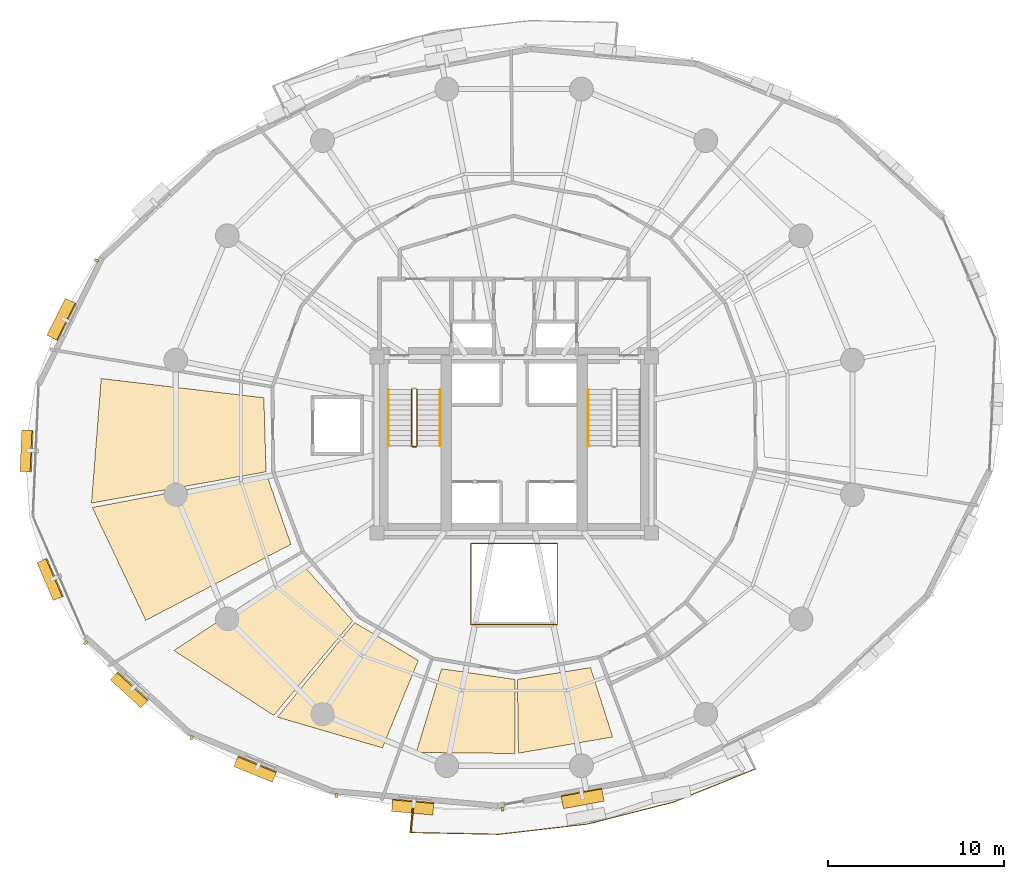
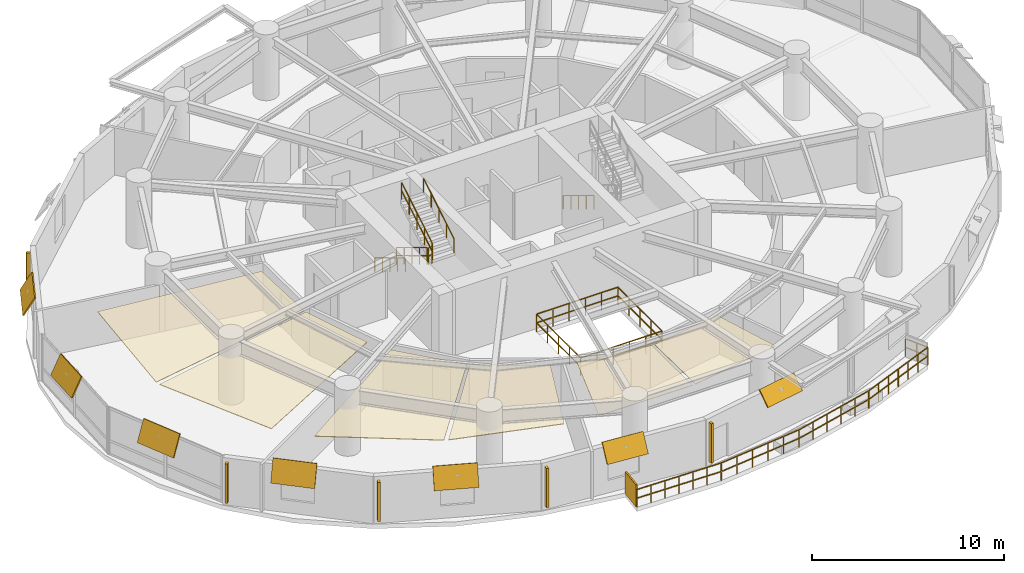
# One storey, part 15 of 17: 13 shading devices, 8 railings, 6 coverings.
"""IFC4 building model written with IfcOpenShell, lengths in metres."""

from ifc_helpers import new_model, si_unit, direction, frame, origin, origin_2d, place, context, subcontext, project, spatial, polyline, rectangle, outline, extrude, material, layer, layer_set, type_object, element, save


model = new_model("IFC4")

# Units and contexts
model_context = context("Model", 3, precision=1e-05, world=origin(), true_north=direction((0.0, 1.0)))
body_context = subcontext(model_context, "Body", "Model", "MODEL_VIEW")
ifc_project = project(units=[si_unit("LENGTHUNIT", "METRE"), si_unit("AREAUNIT", "SQUARE_METRE"), si_unit("VOLUMEUNIT", "CUBIC_METRE"), si_unit("PLANEANGLEUNIT", "RADIAN"), si_unit("MASSUNIT", "GRAM", prefix="KILO"), si_unit("THERMODYNAMICTEMPERATUREUNIT", "KELVIN"), si_unit("POWERUNIT", "WATT")], contexts=[model_context])

# Site, building, storey
site_placement = place(None, origin())
site = spatial("IfcSite", under=ifc_project, at=site_placement, CompositionType="ELEMENT")
building_placement = place(site_placement, origin())
building = spatial("IfcBuilding", under=site, at=building_placement, Name="Ocrelia Relay Tower", CompositionType="ELEMENT")
storey_placement = place(building_placement, frame((0.0, 0.0, 76.199951171875)))
storey = spatial("IfcBuildingStorey", under=building, at=storey_placement, Name="L17", CompositionType="ELEMENT", Elevation=76.199951171875)

# Coverings
ifc_material_1 = material(Name="Mineral-fiber acoustic ceiling tile", Category="gypsum")
ifc_layer_1 = layer(ifc_material_1, 0.0400390625, Name="Mineral-fiber acoustic ceiling tile")
ifc_layer_set_1 = layer_set([ifc_layer_1], Name="Mineral-fiber acoustic ceiling tile")
covering_type_1 = type_object("IfcCoveringType", Name="COV-CEIL-ACOUSTIC", PredefinedType="CEILING", material=ifc_layer_set_1)
covering_1_placement = place(storey_placement, frame((0.0, 0.0, 2.920166015625)))
element("IfcCovering", 1, at=covering_1_placement, inside=storey, type_object=covering_type_1, Name="L17 Carrier Briefing Room Suspended Ceiling 1", PredefinedType="CEILING", context=body_context, shape_type="SweptSolid", body=[
    extrude(outline(polyline([(22.0244140625, 18.1484375), (14.666015625, 13.32421875), (20.3369140625, 9.630126953125), (24.823974609375, 15.006103515625), (22.0244140625, 18.1484375)])), origin(), (0.0, 0.0, 1.0), 0.039794921875),
])
covering_2_placement = place(storey_placement, frame((0.0, 0.0, 2.920166015625)))
element("IfcCovering", 2, at=covering_2_placement, inside=storey, type_object=covering_type_1, Name="L17 Carrier Briefing Room Suspended Ceiling 2", PredefinedType="CEILING", context=body_context, shape_type="SweptSolid", body=[
    extrude(outline(polyline([(24.939697265625, 14.91064453125), (20.54931640625, 9.537109375), (26.51318359375, 7.791015625), (28.5546875, 12.755615234375), (24.939697265625, 14.91064453125)])), origin(), (0.0, 0.0, 1.0), 0.039794921875),
])
covering_3_placement = place(storey_placement, frame((0.0, 0.0, 2.920166015625)))
element("IfcCovering", 3, at=covering_3_placement, inside=storey, type_object=covering_type_1, Name="L17 Shift Staff Lounge Suspended Ceiling 1", PredefinedType="CEILING", context=body_context, shape_type="SweptSolid", body=[
    extrude(outline(polyline([(29.873046875, 12.28759765625), (28.44091796875, 7.52880859375), (34.048583984375, 7.471923828125), (34.03759765625, 11.679931640625), (29.873046875, 12.28759765625)])), origin(), (0.0, 0.0, 1.0), 0.039794921875),
])
covering_4_placement = place(storey_placement, frame((0.0, 0.0, 2.920166015625)))
element("IfcCovering", 4, at=covering_4_placement, inside=storey, type_object=covering_type_1, Name="L17 Shift Staff Lounge Suspended Ceiling 2", PredefinedType="CEILING", context=body_context, shape_type="SweptSolid", body=[
    extrude(outline(polyline([(34.1875, 11.68115234375), (34.2421875, 7.48779296875), (39.597900390625, 8.406494140625), (38.341796875, 12.35400390625), (34.1875, 11.68115234375)])), origin(), (0.0, 0.0, 1.0), 0.039794921875),
])
ifc_material_2 = material(Name="Cleanroom metal-pan acoustic ceiling", Category="aluminium")
ifc_layer_2 = layer(ifc_material_2, 0.0400390625, Name="Cleanroom metal-pan acoustic ceiling")
ifc_layer_set_2 = layer_set([ifc_layer_2], Name="Cleanroom metal-pan acoustic ceiling")
covering_type_2 = type_object("IfcCoveringType", Name="COV-CEIL-CLEAN", PredefinedType="CEILING", material=ifc_layer_set_2)
covering_5_placement = place(storey_placement, frame((0.0, 0.0, 2.920166015625)))
element("IfcCovering", 5, at=covering_5_placement, inside=storey, type_object=covering_type_2, Name="L17 Colocation Data Hall B Suspended Ceiling 1", PredefinedType="CEILING", context=body_context, shape_type="SweptSolid", body=[
    extrude(outline(polyline([(19.779296875, 27.68310546875), (10.534912109375, 28.77734375), (9.982177734375, 21.7001953125), (19.904052734375, 23.476318359375), (19.779296875, 27.68310546875)])), origin(), (0.0, 0.0, 1.0), 0.039794921875),
])
covering_6_placement = place(storey_placement, frame((0.0, 0.0, 2.920166015625)))
element("IfcCovering", 6, at=covering_6_placement, inside=storey, type_object=covering_type_2, Name="L17 Colocation Data Hall B Suspended Ceiling 2", PredefinedType="CEILING", context=body_context, shape_type="SweptSolid", body=[
    extrude(outline(polyline([(19.931396484375, 23.3291015625), (10.028564453125, 21.448974609375), (13.069580078125, 15.034423828125), (21.3154296875, 19.3544921875), (19.931396484375, 23.3291015625)])), origin(), (0.0, 0.0, 1.0), 0.039794921875),
])

# Railings
ifc_material_3 = material(Name="Steel S355 balustrade", Category="steel")
railing_type_1 = type_object("IfcRailingType", Name="RL-EXT-GUARD-1150", PredefinedType="GUARDRAIL", material=ifc_material_3)
railing_1_placement = place(storey_placement, frame((47.095458984375, 7.841796875, 0.0)))
element("IfcRailing", 7, at=railing_1_placement, inside=storey, type_object=railing_type_1, Name="L17 Loggia Balcony Guard Rail B2", PredefinedType="GUARDRAIL", context=body_context, shape_type="SweptSolid", body=[
    extrude(rectangle(XDim=0.048095703125, YDim=0.048095703125, at=origin_2d()), frame((0.0, 0.0, 1.1259765625), z_axis=(0.440121208435, -0.8979383731, 0.0), x_axis=(0.8979383731, 0.440121208435, 0.0)), (0.0, 0.0, 1.0), 1.3935546875),
    extrude(rectangle(XDim=0.048095703125, YDim=0.048095703125, at=origin_2d()), frame((0.0, 0.0, 0.574951171875), z_axis=(0.440121208435, -0.8979383731, 0.0), x_axis=(0.8979383731, 0.440121208435, 0.0)), (0.0, 0.0, 1.0), 1.3935546875),
    extrude(rectangle(XDim=0.048095703125, YDim=0.048095703125, at=origin_2d()), frame((0.61328125, -1.251220703125, 1.1259765625), z_axis=(-0.926657621374, -0.375906441485, 0.0), x_axis=(0.375906441485, -0.926657621374, 0.0)), (0.0, 0.0, 1.0), 2.505126953125),
    extrude(rectangle(XDim=0.048095703125, YDim=0.048095703125, at=origin_2d()), frame((0.61328125, -1.251220703125, 0.574951171875), z_axis=(-0.926657621374, -0.375906441485, 0.0), x_axis=(0.375906441485, -0.926657621374, 0.0)), (0.0, 0.0, 1.0), 2.505126953125),
    extrude(rectangle(XDim=0.048095703125, YDim=0.048095703125, at=origin_2d()), frame((-1.7080078125, -2.19287109375, 1.1259765625), z_axis=(-0.926691568011, -0.375822747818, 0.0), x_axis=(0.375822747818, -0.926691568011, 0.0)), (0.0, 0.0, 1.0), 2.5048828125),
    extrude(rectangle(XDim=0.048095703125, YDim=0.048095703125, at=origin_2d()), frame((-1.7080078125, -2.19287109375, 0.574951171875), z_axis=(-0.926691568011, -0.375822747818, 0.0), x_axis=(0.375822747818, -0.926691568011, 0.0)), (0.0, 0.0, 1.0), 2.5048828125),
    extrude(rectangle(XDim=0.048095703125, YDim=0.048095703125, at=origin_2d()), frame((-4.029296875, -3.13427734375, 1.1259765625), z_axis=(-0.969046874488, -0.246876801349, 0.0), x_axis=(0.246876801349, -0.969046874488, 0.0)), (0.0, 0.0, 1.0), 5.065185546875),
    extrude(rectangle(XDim=0.048095703125, YDim=0.048095703125, at=origin_2d()), frame((-4.029296875, -3.13427734375, 0.574951171875), z_axis=(-0.969046874488, -0.246876801349, 0.0), x_axis=(0.246876801349, -0.969046874488, 0.0)), (0.0, 0.0, 1.0), 5.065185546875),
    extrude(rectangle(XDim=0.048095703125, YDim=0.048095703125, at=origin_2d()), frame((-8.937744140625, -4.384765625, 1.1259765625), z_axis=(-0.993359235266, -0.11505402953, 0.0), x_axis=(0.11505402953, -0.993359235266, 0.0)), (0.0, 0.0, 1.0), 5.065185546875),
    extrude(rectangle(XDim=0.048095703125, YDim=0.048095703125, at=origin_2d()), frame((-8.937744140625, -4.384765625, 0.574951171875), z_axis=(-0.993359235266, -0.11505402953, 0.0), x_axis=(0.11505402953, -0.993359235266, 0.0)), (0.0, 0.0, 1.0), 5.065185546875),
    extrude(rectangle(XDim=0.048095703125, YDim=0.048095703125, at=origin_2d()), frame((-13.96923828125, -4.967529296875, 1.1259765625), z_axis=(-0.999788518812, 0.020564961734, 0.0), x_axis=(-0.020564961734, -0.999788518812, 0.0)), (0.0, 0.0, 1.0), 2.5048828125),
    extrude(rectangle(XDim=0.048095703125, YDim=0.048095703125, at=origin_2d()), frame((-13.96923828125, -4.967529296875, 0.574951171875), z_axis=(-0.999788518812, 0.020564961734, 0.0), x_axis=(-0.020564961734, -0.999788518812, 0.0)), (0.0, 0.0, 1.0), 2.5048828125),
    extrude(rectangle(XDim=0.048095703125, YDim=0.048095703125, at=origin_2d()), frame((-16.4736328125, -4.916015625, 1.1259765625), z_axis=(-0.999790558819, 0.020465544142, 0.0), x_axis=(-0.020465544142, -0.999790558819, 0.0)), (0.0, 0.0, 1.0), 2.505126953125),
    extrude(rectangle(XDim=0.048095703125, YDim=0.048095703125, at=origin_2d()), frame((-16.4736328125, -4.916015625, 0.574951171875), z_axis=(-0.999790558819, 0.020465544142, 0.0), x_axis=(-0.020465544142, -0.999790558819, 0.0)), (0.0, 0.0, 1.0), 2.505126953125),
    extrude(rectangle(XDim=0.048095703125, YDim=0.048095703125, at=origin_2d()), frame((-18.978271484375, -4.86474609375, 1.1259765625), z_axis=(0.090930665057, 0.995857225787, 0.0), x_axis=(-0.995857225787, 0.090930665057, 0.0)), (0.0, 0.0, 1.0), 1.3935546875),
    extrude(rectangle(XDim=0.048095703125, YDim=0.048095703125, at=origin_2d()), frame((-18.978271484375, -4.86474609375, 0.574951171875), z_axis=(0.090930665057, 0.995857225787, 0.0), x_axis=(-0.995857225787, 0.090930665057, 0.0)), (0.0, 0.0, 1.0), 1.3935546875),
    extrude(rectangle(XDim=0.0419921875, YDim=0.0419921875, at=origin_2d()), origin(), (0.0, 0.0, 1.0), 1.101806640625),
    extrude(rectangle(XDim=0.0419921875, YDim=0.0419921875, at=origin_2d()), frame((0.306640625, -0.62548828125, 0.0)), (0.0, 0.0, 1.0), 1.101806640625),
    extrude(rectangle(XDim=0.0419921875, YDim=0.0419921875, at=origin_2d()), frame((0.61328125, -1.251220703125, 0.0)), (0.0, 0.0, 1.0), 1.101806640625),
    extrude(rectangle(XDim=0.0419921875, YDim=0.0419921875, at=origin_2d()), frame((-0.160400390625, -1.565185546875, 0.0)), (0.0, 0.0, 1.0), 1.101806640625),
    extrude(rectangle(XDim=0.0419921875, YDim=0.0419921875, at=origin_2d()), frame((-0.934326171875, -1.87890625, 0.0)), (0.0, 0.0, 1.0), 1.101806640625),
    extrude(rectangle(XDim=0.0419921875, YDim=0.0419921875, at=origin_2d()), frame((-1.7080078125, -2.19287109375, 0.0)), (0.0, 0.0, 1.0), 1.101806640625),
    extrude(rectangle(XDim=0.0419921875, YDim=0.0419921875, at=origin_2d()), frame((-2.481689453125, -2.506591796875, 0.0)), (0.0, 0.0, 1.0), 1.101806640625),
    extrude(rectangle(XDim=0.0419921875, YDim=0.0419921875, at=origin_2d()), frame((-3.255615234375, -2.820556640625, 0.0)), (0.0, 0.0, 1.0), 1.101806640625),
    extrude(rectangle(XDim=0.0419921875, YDim=0.0419921875, at=origin_2d()), frame((-4.029296875, -3.13427734375, 0.0)), (0.0, 0.0, 1.0), 1.101806640625),
    extrude(rectangle(XDim=0.0419921875, YDim=0.0419921875, at=origin_2d()), frame((-5.010986328125, -3.38427734375, 0.0)), (0.0, 0.0, 1.0), 1.101806640625),
    extrude(rectangle(XDim=0.0419921875, YDim=0.0419921875, at=origin_2d()), frame((-5.99267578125, -3.634521484375, 0.0)), (0.0, 0.0, 1.0), 1.101806640625),
    extrude(rectangle(XDim=0.0419921875, YDim=0.0419921875, at=origin_2d()), frame((-6.974365234375, -3.884521484375, 0.0)), (0.0, 0.0, 1.0), 1.101806640625),
    extrude(rectangle(XDim=0.0419921875, YDim=0.0419921875, at=origin_2d()), frame((-7.9560546875, -4.134765625, 0.0)), (0.0, 0.0, 1.0), 1.101806640625),
    extrude(rectangle(XDim=0.0419921875, YDim=0.0419921875, at=origin_2d()), frame((-8.937744140625, -4.384765625, 0.0)), (0.0, 0.0, 1.0), 1.101806640625),
    extrude(rectangle(XDim=0.0419921875, YDim=0.0419921875, at=origin_2d()), frame((-9.944091796875, -4.501220703125, 0.0)), (0.0, 0.0, 1.0), 1.101806640625),
    extrude(rectangle(XDim=0.0419921875, YDim=0.0419921875, at=origin_2d()), frame((-10.950439453125, -4.617919921875, 0.0)), (0.0, 0.0, 1.0), 1.101806640625),
    extrude(rectangle(XDim=0.0419921875, YDim=0.0419921875, at=origin_2d()), frame((-11.95654296875, -4.734375, 0.0)), (0.0, 0.0, 1.0), 1.101806640625),
    extrude(rectangle(XDim=0.0419921875, YDim=0.0419921875, at=origin_2d()), frame((-12.962890625, -4.85107421875, 0.0)), (0.0, 0.0, 1.0), 1.101806640625),
    extrude(rectangle(XDim=0.0419921875, YDim=0.0419921875, at=origin_2d()), frame((-13.96923828125, -4.967529296875, 0.0)), (0.0, 0.0, 1.0), 1.101806640625),
    extrude(rectangle(XDim=0.0419921875, YDim=0.0419921875, at=origin_2d()), frame((-14.803955078125, -4.950439453125, 0.0)), (0.0, 0.0, 1.0), 1.101806640625),
    extrude(rectangle(XDim=0.0419921875, YDim=0.0419921875, at=origin_2d()), frame((-15.638916015625, -4.93310546875, 0.0)), (0.0, 0.0, 1.0), 1.101806640625),
    extrude(rectangle(XDim=0.0419921875, YDim=0.0419921875, at=origin_2d()), frame((-16.4736328125, -4.916015625, 0.0)), (0.0, 0.0, 1.0), 1.101806640625),
    extrude(rectangle(XDim=0.0419921875, YDim=0.0419921875, at=origin_2d()), frame((-17.30859375, -4.89892578125, 0.0)), (0.0, 0.0, 1.0), 1.101806640625),
    extrude(rectangle(XDim=0.0419921875, YDim=0.0419921875, at=origin_2d()), frame((-18.143310546875, -4.8818359375, 0.0)), (0.0, 0.0, 1.0), 1.101806640625),
    extrude(rectangle(XDim=0.0419921875, YDim=0.0419921875, at=origin_2d()), frame((-18.978271484375, -4.86474609375, 0.0)), (0.0, 0.0, 1.0), 1.101806640625),
    extrude(rectangle(XDim=0.0419921875, YDim=0.0419921875, at=origin_2d()), frame((-18.9150390625, -4.1708984375, 0.0)), (0.0, 0.0, 1.0), 1.101806640625),
    extrude(rectangle(XDim=0.0419921875, YDim=0.0419921875, at=origin_2d()), frame((-18.8515625, -3.47705078125, 0.0)), (0.0, 0.0, 1.0), 1.101806640625),
])
ifc_material_4 = material(Name="Steel S355 atrium balustrade", Category="steel")
railing_type_2 = type_object("IfcRailingType", Name="RL-INT-GUARD-115", PredefinedType="GUARDRAIL", material=ifc_material_4)
railing_2_placement = place(storey_placement, frame((31.550048828125, 14.800048828125, 0.0)))
element("IfcRailing", 8, at=railing_2_placement, inside=storey, type_object=railing_type_2, Name="L17 Multi-Zone Interior Atrium Guard", PredefinedType="GUARDRAIL", context=body_context, shape_type="SweptSolid", body=[
    extrude(rectangle(XDim=0.048095703125, YDim=0.048095703125, at=origin_2d()), frame((0.0, 0.0, 1.1259765625), z_axis=(1.0, 0.0, 0.0), x_axis=(0.0, 1.0, 0.0)), (0.0, 0.0, 1.0), 4.89990234375),
    extrude(rectangle(XDim=0.048095703125, YDim=0.048095703125, at=origin_2d()), frame((0.0, 0.0, 0.574951171875), z_axis=(1.0, 0.0, 0.0), x_axis=(0.0, 1.0, 0.0)), (0.0, 0.0, 1.0), 4.89990234375),
    extrude(rectangle(XDim=0.048095703125, YDim=0.048095703125, at=origin_2d()), frame((4.89990234375, 0.0, 1.1259765625), z_axis=(0.0, 1.0, 0.0), x_axis=(-1.0, 0.0, 0.0)), (0.0, 0.0, 1.0), 4.599853515625),
    extrude(rectangle(XDim=0.048095703125, YDim=0.048095703125, at=origin_2d()), frame((4.89990234375, 0.0, 0.574951171875), z_axis=(0.0, 1.0, 0.0), x_axis=(-1.0, 0.0, 0.0)), (0.0, 0.0, 1.0), 4.599853515625),
    extrude(rectangle(XDim=0.048095703125, YDim=0.048095703125, at=origin_2d()), frame((4.89990234375, 4.599853515625, 1.1259765625), z_axis=(-1.0, 0.0, 0.0), x_axis=(0.0, -1.0, 0.0)), (0.0, 0.0, 1.0), 4.89990234375),
    extrude(rectangle(XDim=0.048095703125, YDim=0.048095703125, at=origin_2d()), frame((4.89990234375, 4.599853515625, 0.574951171875), z_axis=(-1.0, 0.0, 0.0), x_axis=(0.0, -1.0, 0.0)), (0.0, 0.0, 1.0), 4.89990234375),
    extrude(rectangle(XDim=0.048095703125, YDim=0.048095703125, at=origin_2d()), frame((0.0, 4.599853515625, 1.1259765625), z_axis=(0.0, -1.0, 0.0), x_axis=(1.0, 0.0, 0.0)), (0.0, 0.0, 1.0), 4.599853515625),
    extrude(rectangle(XDim=0.048095703125, YDim=0.048095703125, at=origin_2d()), frame((0.0, 4.599853515625, 0.574951171875), z_axis=(0.0, -1.0, 0.0), x_axis=(1.0, 0.0, 0.0)), (0.0, 0.0, 1.0), 4.599853515625),
    extrude(rectangle(XDim=0.0419921875, YDim=0.0419921875, at=origin_2d()), origin(), (0.0, 0.0, 1.0), 1.101806640625),
    extrude(rectangle(XDim=0.0419921875, YDim=0.0419921875, at=origin_2d()), frame((0.97998046875, 0.0, 0.0)), (0.0, 0.0, 1.0), 1.101806640625),
    extrude(rectangle(XDim=0.0419921875, YDim=0.0419921875, at=origin_2d()), frame((1.9599609375, 0.0, 0.0)), (0.0, 0.0, 1.0), 1.101806640625),
    extrude(rectangle(XDim=0.0419921875, YDim=0.0419921875, at=origin_2d()), frame((2.93994140625, 0.0, 0.0)), (0.0, 0.0, 1.0), 1.101806640625),
    extrude(rectangle(XDim=0.0419921875, YDim=0.0419921875, at=origin_2d()), frame((3.919921875, 0.0, 0.0)), (0.0, 0.0, 1.0), 1.101806640625),
    extrude(rectangle(XDim=0.0419921875, YDim=0.0419921875, at=origin_2d()), frame((4.89990234375, 0.0, 0.0)), (0.0, 0.0, 1.0), 1.101806640625),
    extrude(rectangle(XDim=0.0419921875, YDim=0.0419921875, at=origin_2d()), frame((4.89990234375, 1.14990234375, 0.0)), (0.0, 0.0, 1.0), 1.101806640625),
    extrude(rectangle(XDim=0.0419921875, YDim=0.0419921875, at=origin_2d()), frame((4.89990234375, 2.2998046875, 0.0)), (0.0, 0.0, 1.0), 1.101806640625),
    extrude(rectangle(XDim=0.0419921875, YDim=0.0419921875, at=origin_2d()), frame((4.89990234375, 3.449951171875, 0.0)), (0.0, 0.0, 1.0), 1.101806640625),
    extrude(rectangle(XDim=0.0419921875, YDim=0.0419921875, at=origin_2d()), frame((4.89990234375, 4.599853515625, 0.0)), (0.0, 0.0, 1.0), 1.101806640625),
    extrude(rectangle(XDim=0.0419921875, YDim=0.0419921875, at=origin_2d()), frame((3.919921875, 4.599853515625, 0.0)), (0.0, 0.0, 1.0), 1.101806640625),
    extrude(rectangle(XDim=0.0419921875, YDim=0.0419921875, at=origin_2d()), frame((2.93994140625, 4.599853515625, 0.0)), (0.0, 0.0, 1.0), 1.101806640625),
    extrude(rectangle(XDim=0.0419921875, YDim=0.0419921875, at=origin_2d()), frame((1.9599609375, 4.599853515625, 0.0)), (0.0, 0.0, 1.0), 1.101806640625),
    extrude(rectangle(XDim=0.0419921875, YDim=0.0419921875, at=origin_2d()), frame((0.97998046875, 4.599853515625, 0.0)), (0.0, 0.0, 1.0), 1.101806640625),
    extrude(rectangle(XDim=0.0419921875, YDim=0.0419921875, at=origin_2d()), frame((0.0, 4.599853515625, 0.0)), (0.0, 0.0, 1.0), 1.101806640625),
    extrude(rectangle(XDim=0.0419921875, YDim=0.0419921875, at=origin_2d()), frame((0.0, 3.449951171875, 0.0)), (0.0, 0.0, 1.0), 1.101806640625),
    extrude(rectangle(XDim=0.0419921875, YDim=0.0419921875, at=origin_2d()), frame((0.0, 2.2998046875, 0.0)), (0.0, 0.0, 1.0), 1.101806640625),
    extrude(rectangle(XDim=0.0419921875, YDim=0.0419921875, at=origin_2d()), frame((0.0, 1.14990234375, 0.0)), (0.0, 0.0, 1.0), 1.101806640625),
])
railing_type_3 = type_object("IfcRailingType", Name="RL-STAIR-GUARD", PredefinedType="GUARDRAIL", material=ifc_material_3)
railing_3_placement = place(storey_placement, frame((28.179931640625, 28.14990234375, 0.175048828125)))
element("IfcRailing", 9, at=railing_3_placement, inside=storey, type_object=railing_type_3, Name="L17 ST1 stair guard 1", PredefinedType="GUARDRAIL", context=body_context, shape_type="SweptSolid", body=[
    extrude(rectangle(XDim=0.048095703125, YDim=0.048095703125, at=origin_2d()), frame((0.0, 0.0, 1.076171875), z_axis=(0.0, -0.856177665481, 0.516681531633), x_axis=(1.0, 0.0, 0.0)), (0.0, 0.0, 1.0), 3.725830078125),
    extrude(rectangle(XDim=0.048095703125, YDim=0.048095703125, at=origin_2d()), frame((0.0, 0.0, 0.550048828125), z_axis=(0.0, -0.856177665481, 0.516681531633), x_axis=(1.0, 0.0, 0.0)), (0.0, 0.0, 1.0), 3.725830078125),
    extrude(rectangle(XDim=0.0419921875, YDim=0.0419921875, at=origin_2d()), origin(), (0.0, 0.0, 1.0), 1.052001953125),
    extrude(rectangle(XDim=0.0419921875, YDim=0.0419921875, at=origin_2d()), frame((0.0, -0.79736328125, 0.481201171875)), (0.0, 0.0, 1.0), 1.052001953125),
    extrude(rectangle(XDim=0.0419921875, YDim=0.0419921875, at=origin_2d()), frame((0.0, -1.594970703125, 0.96240234375)), (0.0, 0.0, 1.0), 1.052001953125),
    extrude(rectangle(XDim=0.0419921875, YDim=0.0419921875, at=origin_2d()), frame((0.0, -2.392578125, 1.44384765625)), (0.0, 0.0, 1.0), 1.052001953125),
    extrude(rectangle(XDim=0.0419921875, YDim=0.0419921875, at=origin_2d()), frame((0.0, -3.18994140625, 1.925048828125)), (0.0, 0.0, 1.0), 1.052001953125),
])
railing_4_placement = place(storey_placement, frame((28.22998046875, 24.909912109375, 2.10009765625)))
element("IfcRailing", 10, at=railing_4_placement, inside=storey, type_object=railing_type_3, Name="L17 ST1 stair guard 2", PredefinedType="GUARDRAIL", context=body_context, shape_type="SweptSolid", body=[
    extrude(rectangle(XDim=0.048095703125, YDim=0.048095703125, at=origin_2d()), frame((0.0, 0.0, 1.076171875), z_axis=(1.0, 0.0, 0.0), x_axis=(0.0, 1.0, 0.0)), (0.0, 0.0, 1.0), 0.199951171875),
    extrude(rectangle(XDim=0.048095703125, YDim=0.048095703125, at=origin_2d()), frame((0.0, 0.0, 0.550048828125), z_axis=(1.0, 0.0, 0.0), x_axis=(0.0, 1.0, 0.0)), (0.0, 0.0, 1.0), 0.199951171875),
    extrude(rectangle(XDim=0.0419921875, YDim=0.0419921875, at=origin_2d()), origin(), (0.0, 0.0, 1.0), 1.052001953125),
    extrude(rectangle(XDim=0.0419921875, YDim=0.0419921875, at=origin_2d()), frame((0.199951171875, 0.0, 0.0)), (0.0, 0.0, 1.0), 1.052001953125),
])
railing_5_placement = place(storey_placement, frame((28.47998046875, 24.9599609375, 2.275146484375)))
element("IfcRailing", 11, at=railing_5_placement, inside=storey, type_object=railing_type_3, Name="L17 ST1 stair guard 3", PredefinedType="GUARDRAIL", context=body_context, shape_type="SweptSolid", body=[
    extrude(rectangle(XDim=0.048095703125, YDim=0.048095703125, at=origin_2d()), frame((0.0, 0.0, 1.076171875), z_axis=(0.0, 0.856206652436, 0.516633495163), x_axis=(-1.0, 0.0, 0.0)), (0.0, 0.0, 1.0), 3.7255859375),
    extrude(rectangle(XDim=0.048095703125, YDim=0.048095703125, at=origin_2d()), frame((0.0, 0.0, 0.550048828125), z_axis=(0.0, 0.856206652436, 0.516633495163), x_axis=(-1.0, 0.0, 0.0)), (0.0, 0.0, 1.0), 3.7255859375),
    extrude(rectangle(XDim=0.0419921875, YDim=0.0419921875, at=origin_2d()), origin(), (0.0, 0.0, 1.0), 1.052001953125),
    extrude(rectangle(XDim=0.0419921875, YDim=0.0419921875, at=origin_2d()), frame((0.0, 0.79736328125, 0.481201171875)), (0.0, 0.0, 1.0), 1.052001953125),
    extrude(rectangle(XDim=0.0419921875, YDim=0.0419921875, at=origin_2d()), frame((0.0, 1.594970703125, 0.96240234375)), (0.0, 0.0, 1.0), 1.052001953125),
    extrude(rectangle(XDim=0.0419921875, YDim=0.0419921875, at=origin_2d()), frame((0.0, 2.392578125, 1.443603515625)), (0.0, 0.0, 1.0), 1.052001953125),
    extrude(rectangle(XDim=0.0419921875, YDim=0.0419921875, at=origin_2d()), frame((0.0, 3.18994140625, 1.9248046875)), (0.0, 0.0, 1.0), 1.052001953125),
])
ifc_material_5 = material(Name="Steel S355 tubular handrail", Category="steel")
railing_type_4 = type_object("IfcRailingType", Name="RL-STAIR-HAND", PredefinedType="HANDRAIL", material=ifc_material_5)
railing_6_placement = place(storey_placement, frame((26.860107421875, 28.14990234375, 0.175048828125)))
element("IfcRailing", 12, at=railing_6_placement, inside=storey, type_object=railing_type_4, Name="L17 ST1 stair handrail 1", PredefinedType="HANDRAIL", context=body_context, shape_type="SweptSolid", body=[
    extrude(rectangle(XDim=0.048095703125, YDim=0.048095703125, at=origin_2d()), frame((0.0, 0.0, 0.8759765625), z_axis=(0.0, -0.856177665481, 0.516681531633), x_axis=(1.0, 0.0, 0.0)), (0.0, 0.0, 1.0), 3.725830078125),
    extrude(rectangle(XDim=0.0419921875, YDim=0.0419921875, at=origin_2d()), origin(), (0.0, 0.0, 1.0), 0.851806640625),
    extrude(rectangle(XDim=0.0419921875, YDim=0.0419921875, at=origin_2d()), frame((0.0, -0.79736328125, 0.481201171875)), (0.0, 0.0, 1.0), 0.851806640625),
    extrude(rectangle(XDim=0.0419921875, YDim=0.0419921875, at=origin_2d()), frame((0.0, -1.594970703125, 0.96240234375)), (0.0, 0.0, 1.0), 0.851806640625),
    extrude(rectangle(XDim=0.0419921875, YDim=0.0419921875, at=origin_2d()), frame((0.0, -2.392578125, 1.44384765625)), (0.0, 0.0, 1.0), 0.851806640625),
    extrude(rectangle(XDim=0.0419921875, YDim=0.0419921875, at=origin_2d()), frame((0.0, -3.18994140625, 1.925048828125)), (0.0, 0.0, 1.0), 0.851806640625),
])
railing_7_placement = place(storey_placement, frame((29.800048828125, 24.9599609375, 2.275146484375)))
element("IfcRailing", 13, at=railing_7_placement, inside=storey, type_object=railing_type_4, Name="L17 ST1 stair handrail 2", PredefinedType="HANDRAIL", context=body_context, shape_type="SweptSolid", body=[
    extrude(rectangle(XDim=0.048095703125, YDim=0.048095703125, at=origin_2d()), frame((0.0, 0.0, 0.8759765625), z_axis=(0.0, 0.856206652436, 0.516633495163), x_axis=(-1.0, 0.0, 0.0)), (0.0, 0.0, 1.0), 3.7255859375),
    extrude(rectangle(XDim=0.0419921875, YDim=0.0419921875, at=origin_2d()), origin(), (0.0, 0.0, 1.0), 0.851806640625),
    extrude(rectangle(XDim=0.0419921875, YDim=0.0419921875, at=origin_2d()), frame((0.0, 0.79736328125, 0.481201171875)), (0.0, 0.0, 1.0), 0.851806640625),
    extrude(rectangle(XDim=0.0419921875, YDim=0.0419921875, at=origin_2d()), frame((0.0, 1.594970703125, 0.96240234375)), (0.0, 0.0, 1.0), 0.851806640625),
    extrude(rectangle(XDim=0.0419921875, YDim=0.0419921875, at=origin_2d()), frame((0.0, 2.392578125, 1.443603515625)), (0.0, 0.0, 1.0), 0.851806640625),
    extrude(rectangle(XDim=0.0419921875, YDim=0.0419921875, at=origin_2d()), frame((0.0, 3.18994140625, 1.9248046875)), (0.0, 0.0, 1.0), 0.851806640625),
])
railing_8_placement = place(storey_placement, frame((38.2099609375, 28.14990234375, 0.175048828125)))
element("IfcRailing", 14, at=railing_8_placement, inside=storey, type_object=railing_type_4, Name="L17 ST2 stair handrail 1", PredefinedType="HANDRAIL", context=body_context, shape_type="SweptSolid", body=[
    extrude(rectangle(XDim=0.048095703125, YDim=0.048095703125, at=origin_2d()), frame((0.0, 0.0, 0.8759765625), z_axis=(0.0, -0.856177665481, 0.516681531633), x_axis=(1.0, 0.0, 0.0)), (0.0, 0.0, 1.0), 3.725830078125),
    extrude(rectangle(XDim=0.0419921875, YDim=0.0419921875, at=origin_2d()), origin(), (0.0, 0.0, 1.0), 0.851806640625),
    extrude(rectangle(XDim=0.0419921875, YDim=0.0419921875, at=origin_2d()), frame((0.0, -0.79736328125, 0.481201171875)), (0.0, 0.0, 1.0), 0.851806640625),
    extrude(rectangle(XDim=0.0419921875, YDim=0.0419921875, at=origin_2d()), frame((0.0, -1.594970703125, 0.96240234375)), (0.0, 0.0, 1.0), 0.851806640625),
    extrude(rectangle(XDim=0.0419921875, YDim=0.0419921875, at=origin_2d()), frame((0.0, -2.392578125, 1.44384765625)), (0.0, 0.0, 1.0), 0.851806640625),
    extrude(rectangle(XDim=0.0419921875, YDim=0.0419921875, at=origin_2d()), frame((0.0, -3.18994140625, 1.925048828125)), (0.0, 0.0, 1.0), 0.851806640625),
])

# Shading devices
ifc_material_6 = material(Name="Perforated oxide terracotta solar screen", Category="masonry")
ifc_layer_3 = layer(ifc_material_6, 0.090087890625, Name="Perforated oxide terracotta solar screen")
ifc_layer_set_3 = layer_set([ifc_layer_3], Name="Perforated oxide terracotta solar screen")
shading_device_type_1 = type_object("IfcShadingDeviceType", Name="SH-BALC-SCREEN", PredefinedType="USERDEFINED", material=ifc_layer_set_3)
shading_device_1_placement = place(storey_placement, frame((28.1806640625, 3.6708984375, 0.0), z_axis=(0.0, 0.0, 1.0), x_axis=(-0.090930464705, -0.995857244081, 0.0)))
element("IfcShadingDevice", 15, at=shading_device_1_placement, inside=storey, type_object=shading_device_type_1, Name="L17 Balcony Perforated Terracotta Screen B2-1", ObjectType="SCREEN", PredefinedType="USERDEFINED", context=body_context, shape_type="SweptSolid", body=[
    extrude(rectangle(XDim=1.340087890625, YDim=0.090087890625, at=origin_2d()), origin(), (0.0, 0.0, 1.0), 1.39990234375),
])
ifc_material_7 = material(Name="Extruded oxide terracotta vertical baguette", Category="masonry")
shading_device_type_2 = type_object("IfcShadingDeviceType", Name="SH-TERR-BAGUETTE", PredefinedType="USERDEFINED", material=ifc_material_7)
for number, where, z_axis, x_axis, name in (
    (16, (10.260986328125, 35.48974609375, 0.25), (0.0, 0.0, 1.0), (-0.446969237962, -0.894549328051, 0.0), "L17 Oxide Terracotta Vertical Baguette 08"),
    (17, (9.652587890625, 13.765869140625, 0.25), (0.0, 0.0, 1.0), (0.736679433924, -0.676242125006, 0.0), "L17 Oxide Terracotta Vertical Baguette 11"),
    (18, (15.67529296875, 8.369384765625, 0.25), (0.0, 0.0, 1.0), (0.925294932346, -0.379248319936, 0.0), "L17 Oxide Terracotta Vertical Baguette 12"),
    (19, (23.894775390625, 5.087890625, 0.25), (0.0, 0.0, 1.0), (0.9959904418, -0.089459710722, 0.0), "L17 Oxide Terracotta Vertical Baguette 13"),
    (20, (33.3349609375, 4.313232421875, 0.25), (0.0, 0.0, 1.0), (0.983413003985, 0.18138043884, 0.0), "L17 Oxide Terracotta Vertical Baguette 14"),
):
    element("IfcShadingDevice", number, at=place(storey_placement, frame(where, z_axis=z_axis, x_axis=x_axis)), inside=storey, type_object=shading_device_type_2, Name=name, ObjectType="BAGUETTE", PredefinedType="USERDEFINED", context=body_context, shape_type="SweptSolid", body=[
        extrude(rectangle(XDim=0.139892578125, YDim=0.239990234375, at=origin_2d()), origin(), (0.0, 0.0, 1.0), 2.5),
    ])
ifc_material_8 = material(Name="Extruded oxide terracotta fin", Category="masonry")
ifc_layer_4 = layer(ifc_material_8, 0.080078125, Name="Extruded oxide terracotta fin")
ifc_layer_set_4 = layer_set([ifc_layer_4], Name="Extruded oxide terracotta fin")
shading_device_type_3 = type_object("IfcShadingDeviceType", Name="SH-VISOR-FIN-DEEP", PredefinedType="USERDEFINED", material=ifc_layer_set_4)
shading_device_2_placement = place(storey_placement, frame((8.312744140625, 32.117431640625, 2.820556640625), z_axis=(-0.780948014473, 0.390207368081, 0.487707298065), x_axis=(-0.446969237962, -0.894549328051, 0.0)))
element("IfcShadingDevice", 21, at=shading_device_2_placement, inside=storey, type_object=shading_device_type_3, Name="L17 Canted Terracotta Sun-Visor Fin 08", ObjectType="FIN", PredefinedType="USERDEFINED", context=body_context, shape_type="SweptSolid", body=[
    extrude(rectangle(XDim=2.35009765625, YDim=1.262939453125, at=origin_2d()), origin(), (0.0, 0.0, 1.0), 0.080078125),
])
shading_device_3_placement = place(storey_placement, frame((6.33203125, 24.6650390625, 2.82275390625), z_axis=(-0.899530764381, 0.039434191489, 0.435073957475), x_axis=(-0.04379656013, -0.999040470312, 0.0)))
element("IfcShadingDevice", 22, at=shading_device_3_placement, inside=storey, type_object=shading_device_type_3, Name="L17 Canted Terracotta Sun-Visor Fin 09", ObjectType="FIN", PredefinedType="USERDEFINED", context=body_context, shape_type="SweptSolid", body=[
    extrude(rectangle(XDim=2.35009765625, YDim=1.320068359375, at=origin_2d()), origin(), (0.0, 0.0, 1.0), 0.080078125),
])
shading_device_4_placement = place(storey_placement, frame((7.669189453125, 17.374755859375, 2.82373046875), z_axis=(-0.837233935673, -0.362482837328, 0.409445392696), x_axis=(0.397313471249, -0.917682954818, 0.0)))
element("IfcShadingDevice", 23, at=shading_device_4_placement, inside=storey, type_object=shading_device_type_3, Name="L17 Canted Terracotta Sun-Visor Fin 10", ObjectType="FIN", PredefinedType="USERDEFINED", context=body_context, shape_type="SweptSolid", body=[
    extrude(rectangle(XDim=2.35009765625, YDim=1.346923828125, at=origin_2d()), origin(), (0.0, 0.0, 1.0), 0.080078125),
])
shading_device_5_placement = place(storey_placement, frame((12.167236328125, 11.10986328125, 2.823486328125), z_axis=(-0.61623211177, -0.67130618824, 0.411832473288), x_axis=(0.736679433924, -0.676242125006, 0.0)))
element("IfcShadingDevice", 24, at=shading_device_5_placement, inside=storey, type_object=shading_device_type_3, Name="L17 Canted Terracotta Sun-Visor Fin 11", ObjectType="FIN", PredefinedType="USERDEFINED", context=body_context, shape_type="SweptSolid", body=[
    extrude(rectangle(XDim=2.35009765625, YDim=1.344970703125, at=origin_2d()), origin(), (0.0, 0.0, 1.0), 0.080078125),
])
shading_device_6_placement = place(storey_placement, frame((19.304931640625, 6.620361328125, 2.822021484375), z_axis=(-0.33857133978, -0.826050712602, 0.450565941999), x_axis=(0.925294932346, -0.379248319936, 0.0)))
element("IfcShadingDevice", 25, at=shading_device_6_placement, inside=storey, type_object=shading_device_type_3, Name="L17 Canted Terracotta Sun-Visor Fin 12", ObjectType="FIN", PredefinedType="USERDEFINED", context=body_context, shape_type="SweptSolid", body=[
    extrude(rectangle(XDim=2.35009765625, YDim=1.303955078125, at=origin_2d()), origin(), (0.0, 0.0, 1.0), 0.080078125),
])
shading_device_7_placement = place(storey_placement, frame((28.2412109375, 4.4697265625, 2.818603515625), z_axis=(-0.075373958772, -0.83916817852, 0.53862374112), x_axis=(0.9959904418, -0.089459710722, 0.0)))
element("IfcShadingDevice", 26, at=shading_device_7_placement, inside=storey, type_object=shading_device_type_3, Name="L17 Canted Terracotta Sun-Visor Fin 13", ObjectType="FIN", PredefinedType="USERDEFINED", context=body_context, shape_type="SweptSolid", body=[
    extrude(rectangle(XDim=2.35009765625, YDim=1.20703125, at=origin_2d()), origin(), (0.0, 0.0, 1.0), 0.080078125),
])
ifc_layer_5 = layer(ifc_material_8, 0.080078125, Name="Extruded oxide terracotta fin")
ifc_layer_set_5 = layer_set([ifc_layer_5], Name="Extruded oxide terracotta fin")
shading_device_type_4 = type_object("IfcShadingDeviceType", Name="SH-VISOR-FIN-MED", PredefinedType="USERDEFINED", material=ifc_layer_set_5)
shading_device_8_placement = place(storey_placement, frame((37.881591796875, 4.954345703125, 2.813232421875), z_axis=(0.134855463806, -0.731162729637, 0.668741404933), x_axis=(0.983413003985, 0.18138043884, 0.0)))
element("IfcShadingDevice", 27, at=shading_device_8_placement, inside=storey, type_object=shading_device_type_4, Name="L17 Canted Terracotta Sun-Visor Fin 14", ObjectType="FIN", PredefinedType="USERDEFINED", context=body_context, shape_type="SweptSolid", body=[
    extrude(rectangle(XDim=2.35009765625, YDim=1.050048828125, at=origin_2d()), origin(), (0.0, 0.0, 1.0), 0.080078125),
])

save(model, "model.ifc")
